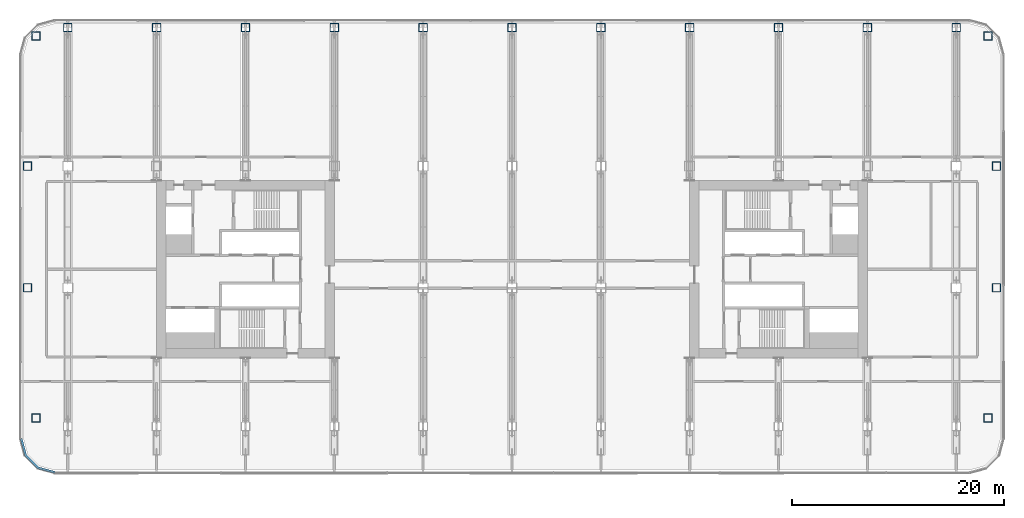
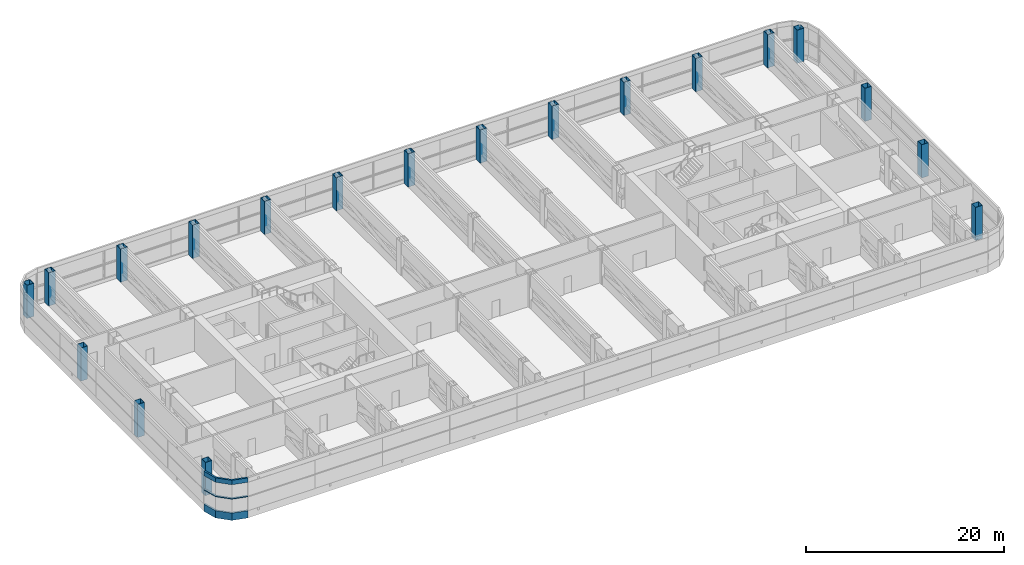
# One storey, part 1 of 31: 19 columns, 3 members, 1 element without a shape of its own.
"""IFC4 building model written with IfcOpenShell, lengths in metres."""

from ifc_helpers import new_model, si_unit, direction, frame, origin, origin_2d, place, context, subcontext, project, spatial, polyline, rectangle, hollow_rectangle, outline, extrude, material, layer, layer_set, material_profile, profile_set, type_object, element, aggregate, save


model = new_model("IFC4")

# Units and contexts
model_context = context("Model", 3, precision=1e-05, world=origin(), true_north=direction((0.0, 1.0)))
body_context = subcontext(model_context, "Body", "Model", "MODEL_VIEW")
ifc_project = project(units=[si_unit("LENGTHUNIT", "METRE"), si_unit("AREAUNIT", "SQUARE_METRE"), si_unit("VOLUMEUNIT", "CUBIC_METRE"), si_unit("PLANEANGLEUNIT", "RADIAN"), si_unit("MASSUNIT", "GRAM", prefix="KILO")], contexts=[model_context])

# Site, building, storey
site_placement = place(None, origin())
site = spatial("IfcSite", under=ifc_project, at=site_placement, CompositionType="ELEMENT")
building_placement = place(site_placement, origin())
building = spatial("IfcBuilding", under=site, at=building_placement, Name="Hakoniwa Tower and Hamabe Station Hall", CompositionType="ELEMENT")
storey_placement = place(building_placement, frame((0.0, 0.0, 120.199951171875)))
storey = spatial("IfcBuildingStorey", under=building, at=storey_placement, Name="L34", CompositionType="ELEMENT", Elevation=120.199951171875)

# Columns
ifc_material_1 = material(Name="Steel SN490C", Category="steel")
ifc_material_profile_1 = material_profile(ifc_material_1, hollow_rectangle(XDim=0.800048828125, YDim=0.800048828125, WallThickness=0.031982421875, at=origin_2d()), Name="BX-800x800x32")
ifc_profile_set_1 = profile_set([ifc_material_profile_1], Name="Steel SN490C")
column_type = type_object("IfcColumnType", Name="COLUMN BX-800x800x32", PredefinedType="COLUMN", material=ifc_profile_set_1)
for number, where, z_axis, x_axis, name in (
    (1, (-45.003173828125, -14.052978515625, 0.0), (0.0, 0.0, 1.0), (1.0, 0.0, 0.0), "Column B2-EW-A2"),
    (2, (-45.800048828125, -1.75, 0.0), (0.0, 0.0, 1.0), (1.0, 0.0, 0.0), "Column B2-EW-C2"),
    (3, (-45.800048828125, 9.75, 0.0), (0.0, 0.0, 1.0), (1.0, 0.0, 0.0), "Column B2-EW-E2"),
    (4, (-45.003173828125, 22.052978515625, 0.0), (0.0, 0.0, 1.0), (1.0, 0.0, 0.0), "Column B2-EW-G2"),
    (5, (-42.0, 22.85009765625, 0.0), (0.0, 0.0, 1.0), (1.0, 0.0, 0.0), "Column B2-2-G2"),
    (6, (-33.60009765625, 22.85009765625, 0.0), (0.0, 0.0, 1.0), (1.0, 0.0, 0.0), "Column B2-3-G2"),
    (7, (-25.199951171875, 22.85009765625, 0.0), (0.0, 0.0, 1.0), (1.0, 0.0, 0.0), "Column B2-4-G2"),
    (8, (-16.800048828125, 22.85009765625, 0.0), (0.0, 0.0, 1.0), (1.0, 0.0, 0.0), "Column B2-5-G2"),
    (9, (-8.39990234375, 22.85009765625, 0.0), (0.0, 0.0, 1.0), (1.0, 0.0, 0.0), "Column B2-6-G2"),
    (10, (0.0, 22.85009765625, 0.0), (0.0, 0.0, 1.0), (1.0, 0.0, 0.0), "Column B2-7-G2"),
    (11, (8.39990234375, 22.85009765625, 0.0), (0.0, 0.0, 1.0), (1.0, 0.0, 0.0), "Column B2-8-G2"),
    (12, (16.800048828125, 22.85009765625, 0.0), (0.0, 0.0, 1.0), (1.0, 0.0, 0.0), "Column B2-9-G2"),
    (13, (25.199951171875, 22.85009765625, 0.0), (0.0, 0.0, 1.0), (1.0, 0.0, 0.0), "Column B2-10-G2"),
    (14, (33.60009765625, 22.85009765625, 0.0), (0.0, 0.0, 1.0), (1.0, 0.0, 0.0), "Column B2-11-G2"),
    (15, (42.0, 22.85009765625, 0.0), (0.0, 0.0, 1.0), (1.0, 0.0, 0.0), "Column B2-12-G2"),
    (16, (45.003173828125, -14.052978515625, 0.0), (0.0, 0.0, 1.0), (1.0, 0.0, 0.0), "Column B2-EE-A2"),
    (17, (45.800048828125, -1.75, 0.0), (0.0, 0.0, 1.0), (1.0, 0.0, 0.0), "Column B2-EE-C2"),
    (18, (45.800048828125, 9.75, 0.0), (0.0, 0.0, 1.0), (1.0, 0.0, 0.0), "Column B2-EE-E2"),
    (19, (45.003173828125, 22.052978515625, 0.0), (0.0, 0.0, 1.0), (1.0, 0.0, 0.0), "Column B2-EE-G2"),
):
    element("IfcColumn", number, at=place(storey_placement, frame(where, z_axis=z_axis, x_axis=x_axis)), inside=storey, type_object=column_type, Name=name, PredefinedType="COLUMN", context=body_context, shape_type="SweptSolid", body=[
        extrude(hollow_rectangle(XDim=0.800048828125, YDim=0.800048828125, WallThickness=0.031982421875, at=origin_2d()), origin(), (0.0, 0.0, 1.0), 4.10009765625),
    ])

# Curtain wall, members
ifc_material_2 = material(Name="Dark low-e laminated glass", Category="glass")
ifc_layer = layer(ifc_material_2, 0.199951171875)
ifc_layer_set = layer_set([ifc_layer], Name="CW-6 PLANT LOUVRE")
curtain_wall_type = type_object("IfcCurtainWallType", Name="CW-6 PLANT LOUVRE", PredefinedType="NOTDEFINED", material=ifc_layer_set)
curtain_wall_placement = place(storey_placement, origin())
curtain_wall = element("IfcCurtainWall", 20, at=curtain_wall_placement, inside=storey, type_object=curtain_wall_type, Name="CW-6 curtain wall", PredefinedType="NOTDEFINED")
ifc_material_3 = material(Name="Aluminium 6063-T5 black anodised", Category="aluminium")
ifc_material_profile_2 = material_profile(ifc_material_3, rectangle(XDim=0.199951171875, YDim=0.550048828125, at=origin_2d()), Name="CW HEAD BAND 550X200")
ifc_profile_set_2 = profile_set([ifc_material_profile_2], Name="Aluminium 6063-T5 black anodised")
member_type_1 = type_object("IfcMemberType", Name="CW HEAD BAND 550X200", PredefinedType="USERDEFINED", material=ifc_profile_set_2)
member_1_placement = place(storey_placement, frame((0.0, 0.0, 3.85009765625)))
member_1 = element("IfcMember", 21, at=member_1_placement, type_object=member_type_1, Name="CW-6 transom", ObjectType="TRANSOM", PredefinedType="USERDEFINED", context=body_context, shape_type="SweptSolid", body=[
    extrude(outline(polyline([(-46.5, -16.03955078125), (-46.067138671875, -17.6552734375), (-44.855224609375, -18.866943359375), (-43.239501953125, -19.300048828125), (-43.187744140625, -19.10693359375), (-44.751708984375, -18.687744140625), (-45.8876953125, -17.5517578125), (-46.306884765625, -15.98779296875), (-46.5, -16.03955078125)])), origin(), (0.0, 0.0, 1.0), 0.550048828125),
])
ifc_material_4 = material(Name="Aluminium 6063-T5 black anodised", Category="aluminium")
ifc_material_profile_3 = material_profile(ifc_material_4, rectangle(XDim=0.199951171875, YDim=0.1201171875, at=origin_2d()), Name="CW MID TRANSOM 120X200")
ifc_profile_set_3 = profile_set([ifc_material_profile_3], Name="Aluminium 6063-T5 black anodised")
member_type_2 = type_object("IfcMemberType", Name="CW MID TRANSOM 120X200", PredefinedType="USERDEFINED", material=ifc_profile_set_3)
member_2_placement = place(storey_placement, frame((0.0, 0.0, 2.0400390625)))
member_2 = element("IfcMember", 22, at=member_2_placement, type_object=member_type_2, Name="CW-6 transom", ObjectType="TRANSOM", PredefinedType="USERDEFINED", context=body_context, shape_type="SweptSolid", body=[
    extrude(outline(polyline([(-46.5, -16.03955078125), (-46.067138671875, -17.6552734375), (-44.855224609375, -18.866943359375), (-43.239501953125, -19.300048828125), (-43.187744140625, -19.10693359375), (-44.751708984375, -18.687744140625), (-45.8876953125, -17.5517578125), (-46.306884765625, -15.98779296875), (-46.5, -16.03955078125)])), origin(), (0.0, 0.0, 1.0), 0.1201171875),
])
ifc_material_5 = material(Name="Aluminium 6063-T5 black anodised", Category="aluminium")
ifc_material_profile_4 = material_profile(ifc_material_5, rectangle(XDim=0.199951171875, YDim=0.89990234375, at=origin_2d()), Name="CW SLAB-EDGE BAND 900X200")
ifc_profile_set_4 = profile_set([ifc_material_profile_4], Name="Aluminium 6063-T5 black anodised")
member_type_3 = type_object("IfcMemberType", Name="CW SLAB-EDGE BAND 900X200", PredefinedType="USERDEFINED", material=ifc_profile_set_4)
member_3_placement = place(storey_placement, frame((0.0, 0.0, -0.550048828125)))
member_3 = element("IfcMember", 23, at=member_3_placement, type_object=member_type_3, Name="CW-6 transom", ObjectType="TRANSOM", PredefinedType="USERDEFINED", context=body_context, shape_type="SweptSolid", body=[
    extrude(outline(polyline([(-46.5, -16.03955078125), (-46.067138671875, -17.6552734375), (-44.855224609375, -18.866943359375), (-43.239501953125, -19.300048828125), (-43.187744140625, -19.10693359375), (-44.751708984375, -18.687744140625), (-45.8876953125, -17.5517578125), (-46.306884765625, -15.98779296875), (-46.5, -16.03955078125)])), origin(), (0.0, 0.0, 1.0), 0.900146484375),
])
aggregate(curtain_wall, [member_3, member_2, member_1])

save(model, "model.ifc")
